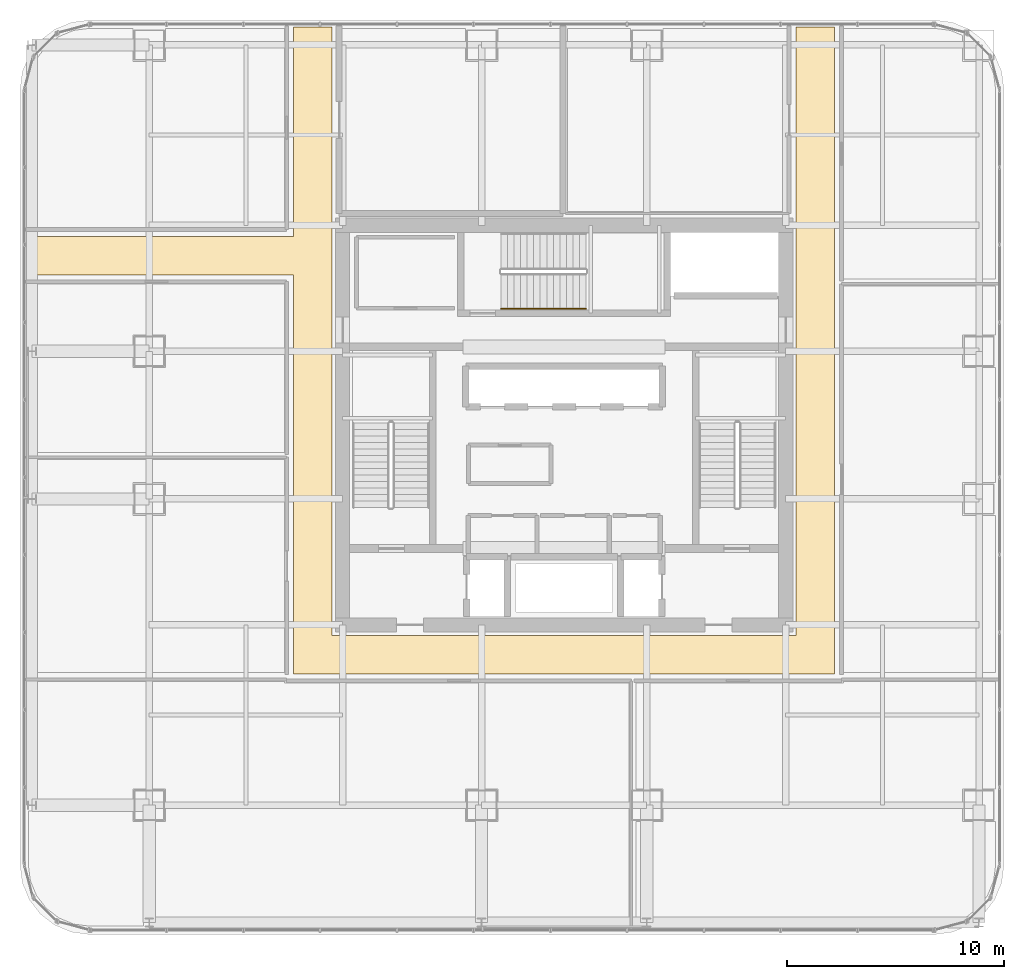
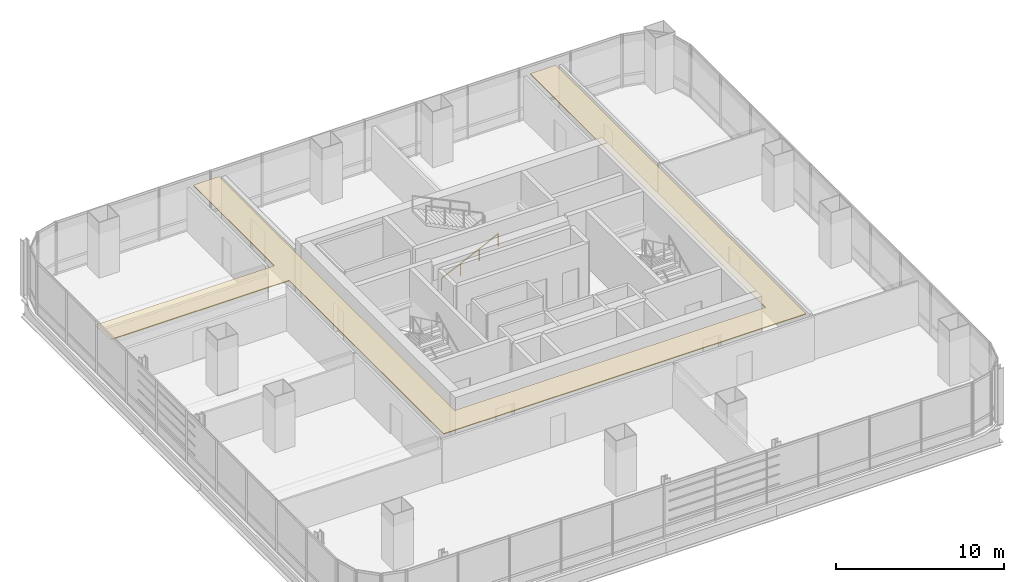
# One storey, part 34 of 36: 1 covering, 1 railing.
"""IFC4 building model written with IfcOpenShell, lengths in metres."""

from ifc_helpers import new_model, si_unit, direction, frame, origin, origin_2d, place, context, subcontext, project, spatial, polyline, circle, outline, extrude, material, layer, layer_set, type_object, element, save


model = new_model("IFC4")

# Units and contexts
model_context = context("Model", 3, precision=1e-05, world=origin(), true_north=direction((0.0, 1.0)))
body_context = subcontext(model_context, "Body", "Model", "MODEL_VIEW")
ifc_project = project(units=[si_unit("LENGTHUNIT", "METRE"), si_unit("AREAUNIT", "SQUARE_METRE"), si_unit("VOLUMEUNIT", "CUBIC_METRE"), si_unit("PLANEANGLEUNIT", "RADIAN"), si_unit("MASSUNIT", "GRAM", prefix="KILO")], contexts=[model_context])

# Site, building, storey
site_placement = place(None, origin())
site = spatial("IfcSite", under=ifc_project, at=site_placement, CompositionType="ELEMENT")
building_placement = place(site_placement, origin())
building = spatial("IfcBuilding", under=site, at=building_placement, Name="Punatoya Terracotta Tower", CompositionType="ELEMENT")
storey_placement = place(building_placement, frame((0.0, 0.0, 184.35009765625)))
storey = spatial("IfcBuildingStorey", under=building, at=storey_placement, Name="L43", CompositionType="ELEMENT", Elevation=184.35009765625)

# Covering
ifc_material_1 = material(Name="Acoustic Mineral Fibre Ceiling")
ifc_layer = layer(ifc_material_1, 0.06005859375)
ifc_layer_set = layer_set([ifc_layer], Name="Acoustic Mineral Fibre Ceiling")
covering_type = type_object("IfcCoveringType", Name="COV-CEIL-60", PredefinedType="CEILING", material=ifc_layer_set)
covering_placement = place(storey_placement, frame((0.0, 0.0, 3.219970703125)))
element("IfcCovering", 1, at=covering_placement, inside=storey, type_object=covering_type, Name="L43 Central Spine Circulation Corridor Acoustic Ceiling", PredefinedType="CEILING", context=body_context, shape_type="SweptSolid", body=[
    extrude(outline(polyline([(10.679931640625, -9.679931640625), (-10.679931640625, -9.679931640625), (-10.679931640625, 18.330078125), (-12.449951171875, 18.330078125), (-12.449951171875, 8.679931640625), (-24.72998046875, 8.679931640625), (-24.72998046875, 6.919921875), (-12.449951171875, 6.919921875), (-12.449951171875, -11.449951171875), (12.449951171875, -11.449951171875), (12.449951171875, 18.330078125), (10.679931640625, 18.330078125), (10.679931640625, -9.679931640625)])), origin(), (0.0, 0.0, 1.0), 0.059814453125),
])

# Railing
ifc_material_2 = material(Name="Steel S355", Category="steel")
railing_type = type_object("IfcRailingType", Name="RLG-HND-900", PredefinedType="HANDRAIL", material=ifc_material_2)
railing_placement = place(storey_placement, frame((-2.89990234375, 5.35009765625, 0.14453125)))
element("IfcRailing", 2, at=railing_placement, inside=storey, type_object=railing_type, Name="L43 ST-3 stair handrail 1", PredefinedType="HANDRAIL", context=body_context, shape_type="SweptSolid", body=[
    extrude(circle(Radius=0.02392578125, at=origin_2d()), frame((0.0, 0.0, 0.8759765625), z_axis=(0.900763166376, 0.0, 0.434310623978), x_axis=(0.0, 1.0, 0.0)), (0.0, 0.0, 1.0), 4.32958984375),
    extrude(circle(Radius=0.02099609375, at=origin_2d()), origin(), (0.0, 0.0, 1.0), 0.851806640625),
    extrude(circle(Radius=0.02099609375, at=origin_2d()), frame((1.300048828125, 0.0, 0.626708984375)), (0.0, 0.0, 1.0), 0.851806640625),
    extrude(circle(Radius=0.02099609375, at=origin_2d()), frame((2.599853515625, 0.0, 1.253662109375)), (0.0, 0.0, 1.0), 0.851806640625),
    extrude(circle(Radius=0.02099609375, at=origin_2d()), frame((3.89990234375, 0.0, 1.88037109375)), (0.0, 0.0, 1.0), 0.851806640625),
])

save(model, "model.ifc")
